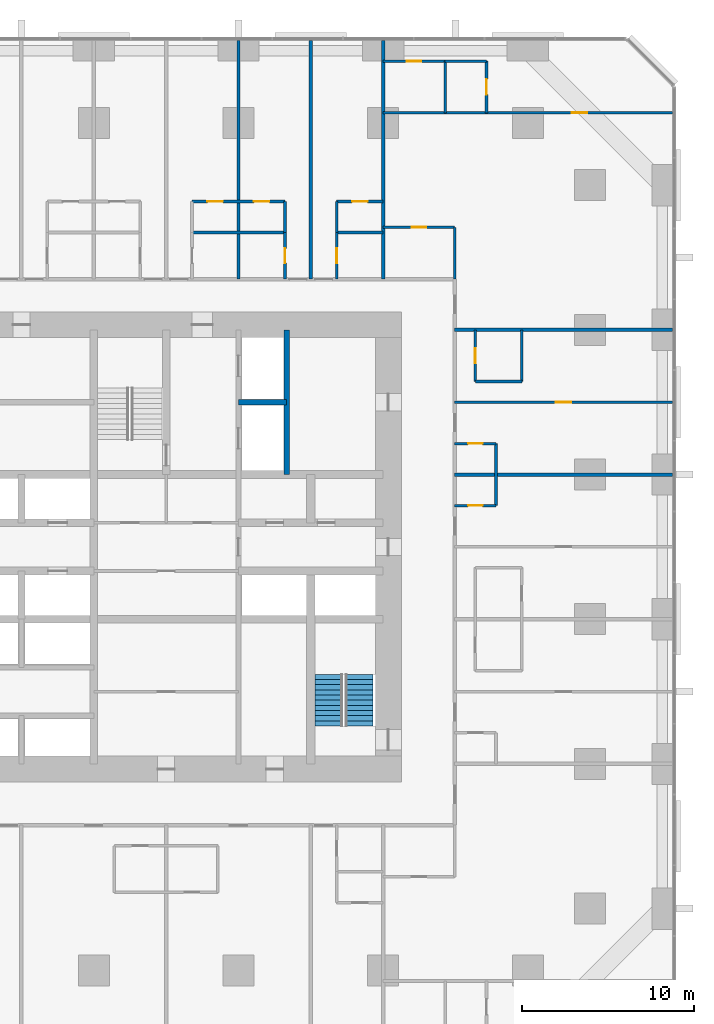
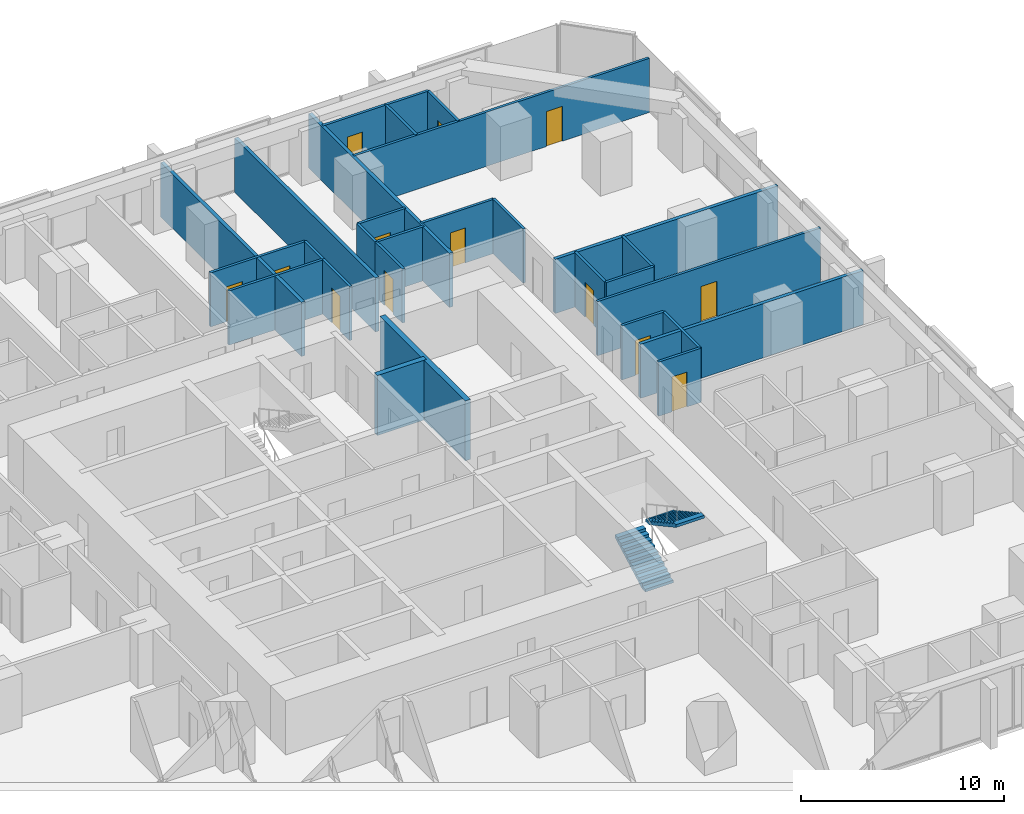
# One storey, part 15 of 17: 29 walls, 13 doors, 2 stair flights, 13 openings, 1 element without a shape of its own.
"""IFC4 building model written with IfcOpenShell, lengths in metres."""

from ifc_helpers import new_model, si_unit, direction, frame, frame_2d, origin, place, context, subcontext, project, spatial, polyline, rectangle, outline, extrude, material, layer, layer_set, type_object, element, fill, aggregate, save


model = new_model("IFC4")

# Units and contexts
model_context = context("Model", 3, precision=1e-05, world=origin(), true_north=direction((0.0, 1.0)))
body_context = subcontext(model_context, "Body", "Model", "MODEL_VIEW")
ifc_project = project(units=[si_unit("LENGTHUNIT", "METRE"), si_unit("AREAUNIT", "SQUARE_METRE"), si_unit("VOLUMEUNIT", "CUBIC_METRE"), si_unit("PLANEANGLEUNIT", "RADIAN"), si_unit("MASSUNIT", "GRAM", prefix="KILO")], contexts=[model_context])

# Site, building, storey
site_placement = place(None, origin())
site = spatial("IfcSite", under=ifc_project, at=site_placement, CompositionType="ELEMENT")
building_placement = place(site_placement, origin())
building = spatial("IfcBuilding", under=site, at=building_placement, Name="Dunama Terrace Hotel", CompositionType="ELEMENT")
storey_placement = place(building_placement, frame((0.0, 0.0, 66.60009765625)))
storey = spatial("IfcBuildingStorey", under=building, at=storey_placement, Name="L16", CompositionType="ELEMENT", Elevation=66.60009765625)

# Wall, opening, door
ifc_material_1 = material(Name="Gypsum board partition", Category="masonry")
ifc_layer_1 = layer(ifc_material_1, 0.14990234375)
ifc_layer_set_1 = layer_set([ifc_layer_1], Name="Bathroom partition 150")
wall_type_1 = type_object("IfcWallType", Name="Bathroom partition 150", PredefinedType="PARTITIONING", material=ifc_layer_set_1)
wall_1_placement = place(storey_placement, frame((36.300048828125, 44.949951171875, 0.0), z_axis=(0.0, 0.0, 1.0), x_axis=(0.0, 1.0, 0.0)))
wall_1 = element("IfcWall", 1, at=wall_1_placement, inside=storey, type_object=wall_type_1, Name="Bathroom partition 150 L16", PredefinedType="PARTITIONING", context=body_context, shape_type="SweptSolid", body=[
    extrude(rectangle(XDim=2.699951171875, YDim=0.14990234375, at=frame_2d((1.35009765625, 0.0))), origin(), (0.0, 0.0, 1.0), 3.25),
])
opening_1_placement = place(wall_1_placement, frame((0.925048828125, 0.0, 0.0)))
opening_1 = element("IfcOpeningElement", 2, at=opening_1_placement, cuts=wall_1, Name="Opening L15-16-044", PredefinedType="OPENING", context=body_context, shape_type="SweptSolid", body=[
    extrude(rectangle(XDim=0.85009765625, YDim=2.10009765625, at=frame_2d((0.425048828125, 1.050048828125))), frame((0.0, 0.0849609375, 0.0), z_axis=(0.0, -1.0, 0.0), x_axis=(1.0, 0.0, 0.0)), (0.0, 0.0, 1.0), 0.169921875),
])
ifc_material_2 = material(Name="Timber door with steel frame", Category="steel")
door_type_1 = type_object("IfcDoorType", Name="Bathroom door 850", OperationType="SINGLE_SWING_LEFT", PredefinedType="DOOR", material=ifc_material_2)
door_1_placement = place(opening_1_placement, origin())
door_1 = element("IfcDoor", 3, at=door_1_placement, inside=storey, type_object=door_type_1, Name="Door to en-suite bathroom L15-16-044, type D2", OperationType="SINGLE_SWING_LEFT", OverallHeight=2.10009765625, OverallWidth=0.85009765625, PredefinedType="DOOR", context=body_context, shape_type="SweptSolid", body=[
    extrude(rectangle(XDim=0.85009765625, YDim=2.10009765625, at=frame_2d((0.425048828125, 1.050048828125))), frame((0.0, 0.02490234375, 0.0), z_axis=(0.0, -1.0, 0.0), x_axis=(1.0, 0.0, 0.0)), (0.0, 0.0, 1.0), 0.050048828125),
])
fill(opening_1, door_1)

wall_2_placement = place(storey_placement, frame((39.300048828125, 44.949951171875, 0.0), z_axis=(0.0, 0.0, 1.0), x_axis=(0.0, 1.0, 0.0)))
wall_2 = element("IfcWall", 4, at=wall_2_placement, inside=storey, type_object=wall_type_1, Name="Bathroom partition 150 L16", PredefinedType="PARTITIONING", context=body_context, shape_type="SweptSolid", body=[
    extrude(rectangle(XDim=2.699951171875, YDim=0.14990234375, at=frame_2d((1.35009765625, 0.0))), origin(), (0.0, 0.0, 1.0), 3.25),
])
opening_2_placement = place(wall_2_placement, frame((0.925048828125, 0.0, 0.0)))
opening_2 = element("IfcOpeningElement", 5, at=opening_2_placement, cuts=wall_2, Name="Opening L15-16-047", PredefinedType="OPENING", context=body_context, shape_type="SweptSolid", body=[
    extrude(rectangle(XDim=0.85009765625, YDim=2.10009765625, at=frame_2d((0.425048828125, 1.050048828125))), frame((0.0, 0.0849609375, 0.0), z_axis=(0.0, -1.0, 0.0), x_axis=(1.0, 0.0, 0.0)), (0.0, 0.0, 1.0), 0.169921875),
])
door_2_placement = place(opening_2_placement, frame((0.85009765625, 0.0, 0.0), z_axis=(0.0, 0.0, 1.0), x_axis=(-1.0, 0.0, 0.0)))
door_2 = element("IfcDoor", 6, at=door_2_placement, inside=storey, type_object=door_type_1, Name="Door to en-suite bathroom L15-16-047, type D2", OperationType="SINGLE_SWING_RIGHT", OverallHeight=2.10009765625, OverallWidth=0.85009765625, PredefinedType="DOOR", context=body_context, shape_type="SweptSolid", body=[
    extrude(rectangle(XDim=0.85009765625, YDim=2.10009765625, at=frame_2d((0.425048828125, 1.050048828125))), frame((0.0, 0.025146484375, 0.0), z_axis=(0.0, -1.0, 0.0), x_axis=(1.0, 0.0, 0.0)), (0.0, 0.0, 1.0), 0.050048828125),
])
fill(opening_2, door_2)

# Wall
wall_3_placement = place(storey_placement, frame((46.14990234375, 44.949951171875, 0.0), z_axis=(0.0, 0.0, 1.0), x_axis=(0.0, 1.0, 0.0)))
element("IfcWall", 7, at=wall_3_placement, inside=storey, type_object=wall_type_1, Name="Bathroom partition 150 L16", PredefinedType="PARTITIONING", context=body_context, shape_type="SweptSolid", body=[
    extrude(rectangle(XDim=3.0, YDim=0.14990234375, at=frame_2d((1.5, 0.0))), origin(), (0.0, 0.0, 1.0), 3.25),
])

# Wall, opening, door
wall_4_placement = place(storey_placement, frame((47.35009765625, 39.0, 0.0), z_axis=(0.0, 0.0, 1.0), x_axis=(0.0, 1.0, 0.0)))
wall_4 = element("IfcWall", 8, at=wall_4_placement, inside=storey, type_object=wall_type_1, Name="Bathroom partition 150 L16", PredefinedType="PARTITIONING", context=body_context, shape_type="SweptSolid", body=[
    extrude(rectangle(XDim=3.0, YDim=0.14990234375, at=frame_2d((1.5, 0.0))), origin(), (0.0, 0.0, 1.0), 3.25),
])
opening_3_placement = place(wall_4_placement, frame((1.074951171875, 0.0, 0.0)))
opening_3 = element("IfcOpeningElement", 9, at=opening_3_placement, cuts=wall_4, Name="Opening L15-16-030", PredefinedType="OPENING", context=body_context, shape_type="SweptSolid", body=[
    extrude(rectangle(XDim=0.85009765625, YDim=2.10009765625, at=frame_2d((0.425048828125, 1.050048828125))), frame((0.0, 0.0849609375, 0.0), z_axis=(0.0, -1.0, 0.0), x_axis=(1.0, 0.0, 0.0)), (0.0, 0.0, 1.0), 0.169921875),
])
door_3_placement = place(opening_3_placement, frame((0.85009765625, 0.0, 0.0), z_axis=(0.0, 0.0, 1.0), x_axis=(-1.0, 0.0, 0.0)))
door_3 = element("IfcDoor", 10, at=door_3_placement, inside=storey, type_object=door_type_1, Name="Door to en-suite bathroom L15-16-030, type D2", OperationType="SINGLE_SWING_LEFT", OverallHeight=2.10009765625, OverallWidth=0.85009765625, PredefinedType="DOOR", context=body_context, shape_type="SweptSolid", body=[
    extrude(rectangle(XDim=0.85009765625, YDim=2.10009765625, at=frame_2d((0.425048828125, 1.050048828125))), frame((0.0, 0.025146484375, 0.0), z_axis=(0.0, -1.0, 0.0), x_axis=(1.0, 0.0, 0.0)), (0.0, 0.0, 1.0), 0.050048828125),
])
fill(opening_3, door_3)

# Walls
wall_5_placement = place(storey_placement, frame((48.550048828125, 31.800048828125, 0.0), z_axis=(0.0, 0.0, 1.0), x_axis=(0.0, 1.0, 0.0)))
element("IfcWall", 11, at=wall_5_placement, inside=storey, type_object=wall_type_1, Name="Bathroom partition 150 L16", PredefinedType="PARTITIONING", context=body_context, shape_type="SweptSolid", body=[
    extrude(rectangle(XDim=3.599853515625, YDim=0.14990234375, at=frame_2d((1.7998046875, 0.0))), origin(), (0.0, 0.0, 1.0), 3.25),
])
wall_6_placement = place(storey_placement, frame((50.050048828125, 39.0, 0.0), z_axis=(0.0, 0.0, 1.0), x_axis=(0.0, 1.0, 0.0)))
element("IfcWall", 12, at=wall_6_placement, inside=storey, type_object=wall_type_1, Name="Bathroom partition 150 L16", PredefinedType="PARTITIONING", context=body_context, shape_type="SweptSolid", body=[
    extrude(rectangle(XDim=3.0, YDim=0.14990234375, at=frame_2d((1.5, 0.0))), origin(), (0.0, 0.0, 1.0), 3.25),
])

# Wall, opening, door
wall_7_placement = place(storey_placement, frame((46.14990234375, 31.800048828125, 0.0), z_axis=(0.0, 0.0, 1.0), x_axis=(1.0, 0.0, 0.0)))
wall_7 = element("IfcWall", 13, at=wall_7_placement, inside=storey, type_object=wall_type_1, Name="Bathroom partition 150 L16", PredefinedType="PARTITIONING", context=body_context, shape_type="SweptSolid", body=[
    extrude(rectangle(XDim=2.400146484375, YDim=0.14990234375, at=frame_2d((1.2001953125, 0.0))), origin(), (0.0, 0.0, 1.0), 3.25),
])
opening_4_placement = place(wall_7_placement, frame((0.77490234375, 0.0, 0.0)))
opening_4 = element("IfcOpeningElement", 14, at=opening_4_placement, cuts=wall_7, Name="Opening L15-16-024", PredefinedType="OPENING", context=body_context, shape_type="SweptSolid", body=[
    extrude(rectangle(XDim=0.85009765625, YDim=2.10009765625, at=frame_2d((0.425048828125, 1.050048828125))), frame((0.0, 0.0849609375, 0.0), z_axis=(0.0, -1.0, 0.0), x_axis=(1.0, 0.0, 0.0)), (0.0, 0.0, 1.0), 0.169921875),
])
door_4_placement = place(opening_4_placement, origin())
door_4 = element("IfcDoor", 15, at=door_4_placement, inside=storey, type_object=door_type_1, Name="Door to powder room L15-16-024, type D2", OperationType="SINGLE_SWING_LEFT", OverallHeight=2.10009765625, OverallWidth=0.85009765625, PredefinedType="DOOR", context=body_context, shape_type="SweptSolid", body=[
    extrude(rectangle(XDim=0.85009765625, YDim=2.10009765625, at=frame_2d((0.425048828125, 1.050048828125))), frame((0.0, 0.02490234375, 0.0), z_axis=(0.0, -1.0, 0.0), x_axis=(1.0, 0.0, 0.0)), (0.0, 0.0, 1.0), 0.050048828125),
])
fill(opening_4, door_4)

wall_8_placement = place(storey_placement, frame((46.14990234375, 35.39990234375, 0.0), z_axis=(0.0, 0.0, 1.0), x_axis=(1.0, 0.0, 0.0)))
wall_8 = element("IfcWall", 16, at=wall_8_placement, inside=storey, type_object=wall_type_1, Name="Bathroom partition 150 L16", PredefinedType="PARTITIONING", context=body_context, shape_type="SweptSolid", body=[
    extrude(rectangle(XDim=2.400146484375, YDim=0.14990234375, at=frame_2d((1.2001953125, 0.0))), origin(), (0.0, 0.0, 1.0), 3.25),
])
opening_5_placement = place(wall_8_placement, frame((0.77490234375, 0.0, 0.0)))
opening_5 = element("IfcOpeningElement", 17, at=opening_5_placement, cuts=wall_8, Name="Opening L15-16-028", PredefinedType="OPENING", context=body_context, shape_type="SweptSolid", body=[
    extrude(rectangle(XDim=0.85009765625, YDim=2.10009765625, at=frame_2d((0.425048828125, 1.050048828125))), frame((0.0, 0.0849609375, 0.0), z_axis=(0.0, -1.0, 0.0), x_axis=(1.0, 0.0, 0.0)), (0.0, 0.0, 1.0), 0.169921875),
])
door_5_placement = place(opening_5_placement, frame((0.85009765625, 0.0, 0.0), z_axis=(0.0, 0.0, 1.0), x_axis=(-1.0, 0.0, 0.0)))
door_5 = element("IfcDoor", 18, at=door_5_placement, inside=storey, type_object=door_type_1, Name="Door to powder room L15-16-028, type D2", OperationType="SINGLE_SWING_RIGHT", OverallHeight=2.10009765625, OverallWidth=0.85009765625, PredefinedType="DOOR", context=body_context, shape_type="SweptSolid", body=[
    extrude(rectangle(XDim=0.85009765625, YDim=2.10009765625, at=frame_2d((0.425048828125, 1.050048828125))), frame((0.0, 0.025146484375, 0.0), z_axis=(0.0, -1.0, 0.0), x_axis=(1.0, 0.0, 0.0)), (0.0, 0.0, 1.0), 0.050048828125),
])
fill(opening_5, door_5)

# Wall
wall_9_placement = place(storey_placement, frame((47.35009765625, 39.0, 0.0), z_axis=(0.0, 0.0, 1.0), x_axis=(1.0, 0.0, 0.0)))
element("IfcWall", 19, at=wall_9_placement, inside=storey, type_object=wall_type_1, Name="Bathroom partition 150 L16", PredefinedType="PARTITIONING", context=body_context, shape_type="SweptSolid", body=[
    extrude(rectangle(XDim=2.699951171875, YDim=0.14990234375, at=frame_2d((1.35009765625, 0.0))), origin(), (0.0, 0.0, 1.0), 3.25),
])

# Wall, opening, door
wall_10_placement = place(storey_placement, frame((42.0, 47.949951171875, 0.0), z_axis=(0.0, 0.0, 1.0), x_axis=(1.0, 0.0, 0.0)))
wall_10 = element("IfcWall", 20, at=wall_10_placement, inside=storey, type_object=wall_type_1, Name="Bathroom partition 150 L16", PredefinedType="PARTITIONING", context=body_context, shape_type="SweptSolid", body=[
    extrude(rectangle(XDim=4.14990234375, YDim=0.14990234375, at=frame_2d((2.074951171875, 0.0))), origin(), (0.0, 0.0, 1.0), 3.25),
])
opening_6_placement = place(wall_10_placement, frame((1.64990234375, 0.0, 0.0)))
opening_6 = element("IfcOpeningElement", 21, at=opening_6_placement, cuts=wall_10, Name="Opening L15-16-066", PredefinedType="OPENING", context=body_context, shape_type="SweptSolid", body=[
    extrude(rectangle(XDim=0.85009765625, YDim=2.10009765625, at=frame_2d((0.425048828125, 1.050048828125))), frame((0.0, 0.0849609375, 0.0), z_axis=(0.0, -1.0, 0.0), x_axis=(1.0, 0.0, 0.0)), (0.0, 0.0, 1.0), 0.169921875),
])
door_6_placement = place(opening_6_placement, frame((0.85009765625, 0.0, 0.0), z_axis=(0.0, 0.0, 1.0), x_axis=(-1.0, 0.0, 0.0)))
door_6 = element("IfcDoor", 22, at=door_6_placement, inside=storey, type_object=door_type_1, Name="Door to powder room L15-16-066, type D2", OperationType="SINGLE_SWING_RIGHT", OverallHeight=2.10009765625, OverallWidth=0.85009765625, PredefinedType="DOOR", context=body_context, shape_type="SweptSolid", body=[
    extrude(rectangle(XDim=0.85009765625, YDim=2.10009765625, at=frame_2d((0.425048828125, 1.050048828125))), frame((0.0, 0.025146484375, 0.0), z_axis=(0.0, -1.0, 0.0), x_axis=(1.0, 0.0, 0.0)), (0.0, 0.0, 1.0), 0.050048828125),
])
fill(opening_6, door_6)

wall_11_placement = place(storey_placement, frame((42.0, 57.60009765625, 0.0), z_axis=(0.0, 0.0, 1.0), x_axis=(1.0, 0.0, 0.0)))
wall_11 = element("IfcWall", 23, at=wall_11_placement, inside=storey, type_object=wall_type_1, Name="Bathroom partition 150 L16", PredefinedType="PARTITIONING", context=body_context, shape_type="SweptSolid", body=[
    extrude(rectangle(XDim=3.60009765625, YDim=0.14990234375, at=frame_2d((1.800048828125, 0.0))), origin(), (0.0, 0.0, 1.0), 3.25),
])
opening_7_placement = place(wall_11_placement, frame((1.375, 0.0, 0.0)))
opening_7 = element("IfcOpeningElement", 24, at=opening_7_placement, cuts=wall_11, Name="Opening L15-16-068", PredefinedType="OPENING", context=body_context, shape_type="SweptSolid", body=[
    extrude(rectangle(XDim=0.85009765625, YDim=2.10009765625, at=frame_2d((0.425048828125, 1.050048828125))), frame((0.0, 0.0849609375, 0.0), z_axis=(0.0, -1.0, 0.0), x_axis=(1.0, 0.0, 0.0)), (0.0, 0.0, 1.0), 0.169921875),
])
door_7_placement = place(opening_7_placement, frame((0.85009765625, 0.0, 0.0), z_axis=(0.0, 0.0, 1.0), x_axis=(-1.0, 0.0, 0.0)))
door_7 = element("IfcDoor", 25, at=door_7_placement, inside=storey, type_object=door_type_1, Name="Door to en-suite bathroom L15-16-068, type D2", OperationType="SINGLE_SWING_RIGHT", OverallHeight=2.10009765625, OverallWidth=0.85009765625, PredefinedType="DOOR", context=body_context, shape_type="SweptSolid", body=[
    extrude(rectangle(XDim=0.85009765625, YDim=2.10009765625, at=frame_2d((0.425048828125, 1.050048828125))), frame((0.0, 0.025146484375, 0.0), z_axis=(0.0, -1.0, 0.0), x_axis=(1.0, 0.0, 0.0)), (0.0, 0.0, 1.0), 0.050048828125),
])
fill(opening_7, door_7)

# Walls
ifc_material_3 = material(Name="Concrete C50/60", Category="concrete")
ifc_layer_2 = layer(ifc_material_3, 0.300048828125)
ifc_layer_set_2 = layer_set([ifc_layer_2], Name="Core inner wall 300")
wall_type_2 = type_object("IfcWallType", Name="Core inner wall 300", PredefinedType="SHEAR", material=ifc_layer_set_2)
wall_12_placement = place(storey_placement, frame((36.39990234375, 33.60009765625, -0.35009765625), z_axis=(0.0, 0.0, 1.0), x_axis=(0.0, 1.0, 0.0)))
element("IfcWall", 26, at=wall_12_placement, inside=storey, type_object=wall_type_2, Name="Core inner wall 300 L16", PredefinedType="SHEAR", context=body_context, shape_type="SweptSolid", body=[
    extrude(rectangle(XDim=8.39990234375, YDim=0.300048828125, at=frame_2d((4.199951171875, 0.0))), origin(), (0.0, 0.0, 1.0), 3.60009765625),
])
wall_13_placement = place(storey_placement, frame((33.60009765625, 37.800048828125, -0.35009765625), z_axis=(0.0, 0.0, 1.0), x_axis=(1.0, 0.0, 0.0)))
element("IfcWall", 27, at=wall_13_placement, inside=storey, type_object=wall_type_2, Name="Core inner wall 300 L16", PredefinedType="SHEAR", context=body_context, shape_type="SweptSolid", body=[
    extrude(rectangle(XDim=2.7998046875, YDim=0.300048828125, at=frame_2d((1.39990234375, 0.0))), origin(), (0.0, 0.0, 1.0), 3.60009765625),
])
ifc_material_4 = material(Name="Concrete blockwork", Category="masonry")
ifc_layer_3 = layer(ifc_material_4, 0.199951171875)
ifc_layer_set_3 = layer_set([ifc_layer_3], Name="Party wall 200")
wall_type_3 = type_object("IfcWallType", Name="Party wall 200", PredefinedType="PARTITIONING", material=ifc_layer_set_3)
for number, where, z_axis, x_axis, name in (
    (28, (33.60009765625, 44.949951171875, 0.0), (0.0, 0.0, 1.0), (0.0, 1.0, 0.0), "Party wall 200 L16"),
    (29, (37.800048828125, 44.949951171875, 0.0), (0.0, 0.0, 1.0), (0.0, 1.0, 0.0), "Party wall 200 L16"),
    (30, (42.0, 44.949951171875, 0.0), (0.0, 0.0, 1.0), (0.0, 1.0, 0.0), "Party wall 200 L16"),
):
    element("IfcWall", number, at=place(storey_placement, frame(where, z_axis=z_axis, x_axis=x_axis)), inside=storey, type_object=wall_type_3, Name=name, PredefinedType="PARTITIONING", context=body_context, shape_type="SweptSolid", body=[
        extrude(rectangle(XDim=13.858154296875, YDim=0.199951171875, at=frame_2d((6.92919921875, 0.0))), origin(), (0.0, 0.0, 1.0), 3.25),
    ])
for number, where, z_axis, x_axis, name in (
    (31, (46.14990234375, 33.60009765625, 0.0), (0.0, 0.0, 1.0), (1.0, 0.0, 0.0), "Party wall 200 L16"),
    (32, (46.14990234375, 42.0, 0.0), (0.0, 0.0, 1.0), (1.0, 0.0, 0.0), "Party wall 200 L16"),
):
    element("IfcWall", number, at=place(storey_placement, frame(where, z_axis=z_axis, x_axis=x_axis)), inside=storey, type_object=wall_type_3, Name=name, PredefinedType="PARTITIONING", context=body_context, shape_type="SweptSolid", body=[
        extrude(rectangle(XDim=12.658203125, YDim=0.199951171875, at=frame_2d((6.3291015625, 0.0))), origin(), (0.0, 0.0, 1.0), 3.25),
    ])
ifc_material_5 = material(Name="Gypsum board partition", Category="masonry")
ifc_layer_4 = layer(ifc_material_5, 0.14990234375)
ifc_layer_set_4 = layer_set([ifc_layer_4], Name="Room partition 150")
wall_type_4 = type_object("IfcWallType", Name="Room partition 150", PredefinedType="PARTITIONING", material=ifc_layer_set_4)
for number, where, z_axis, x_axis, name in (
    (33, (36.300048828125, 47.64990234375, 0.0), (0.0, 0.0, 1.0), (0.0, 1.0, 0.0), "Room partition 150 L16"),
    (34, (39.300048828125, 47.64990234375, 0.0), (0.0, 0.0, 1.0), (0.0, 1.0, 0.0), "Room partition 150 L16"),
):
    element("IfcWall", number, at=place(storey_placement, frame(where, z_axis=z_axis, x_axis=x_axis)), inside=storey, type_object=wall_type_4, Name=name, PredefinedType="PARTITIONING", context=body_context, shape_type="SweptSolid", body=[
        extrude(rectangle(XDim=1.800048828125, YDim=0.14990234375, at=frame_2d((0.89990234375, 0.0))), origin(), (0.0, 0.0, 1.0), 3.25),
    ])
wall_14_placement = place(storey_placement, frame((45.60009765625, 54.60009765625, 0.0), z_axis=(0.0, 0.0, 1.0), x_axis=(0.0, 1.0, 0.0)))
element("IfcWall", 35, at=wall_14_placement, inside=storey, type_object=wall_type_4, Name="Room partition 150 L16", PredefinedType="PARTITIONING", context=body_context, shape_type="SweptSolid", body=[
    extrude(rectangle(XDim=3.0, YDim=0.14990234375, at=frame_2d((1.5, 0.0))), origin(), (0.0, 0.0, 1.0), 3.25),
])

# Wall, opening, door
wall_15_placement = place(storey_placement, frame((48.0, 54.60009765625, 0.0), z_axis=(0.0, 0.0, 1.0), x_axis=(0.0, 1.0, 0.0)))
wall_15 = element("IfcWall", 36, at=wall_15_placement, inside=storey, type_object=wall_type_4, Name="Room partition 150 L16", PredefinedType="PARTITIONING", context=body_context, shape_type="SweptSolid", body=[
    extrude(rectangle(XDim=3.0, YDim=0.14990234375, at=frame_2d((1.5, 0.0))), origin(), (0.0, 0.0, 1.0), 3.25),
])
opening_8_placement = place(wall_15_placement, frame((1.050048828125, 0.0, 0.0)))
opening_8 = element("IfcOpeningElement", 37, at=opening_8_placement, cuts=wall_15, Name="Opening L15-16-069", PredefinedType="OPENING", context=body_context, shape_type="SweptSolid", body=[
    extrude(rectangle(XDim=0.89990234375, YDim=2.10009765625, at=frame_2d((0.449951171875, 1.050048828125))), frame((0.0, 0.0849609375, 0.0), z_axis=(0.0, -1.0, 0.0), x_axis=(1.0, 0.0, 0.0)), (0.0, 0.0, 1.0), 0.169921875),
])
ifc_material_6 = material(Name="Timber door with steel frame", Category="steel")
door_type_2 = type_object("IfcDoorType", Name="Suite internal door 900", OperationType="SINGLE_SWING_LEFT", PredefinedType="DOOR", material=ifc_material_6)
door_8_placement = place(opening_8_placement, origin())
door_8 = element("IfcDoor", 38, at=door_8_placement, inside=storey, type_object=door_type_2, Name="Door to dressing room L15-16-069, type D16", OperationType="SINGLE_SWING_LEFT", OverallHeight=2.10009765625, OverallWidth=0.89990234375, PredefinedType="DOOR", context=body_context, shape_type="SweptSolid", body=[
    extrude(rectangle(XDim=0.89990234375, YDim=2.10009765625, at=frame_2d((0.449951171875, 1.050048828125))), frame((0.0, 0.02490234375, 0.0), z_axis=(0.0, -1.0, 0.0), x_axis=(1.0, 0.0, 0.0)), (0.0, 0.0, 1.0), 0.050048828125),
])
fill(opening_8, door_8)

wall_16_placement = place(storey_placement, frame((46.14990234375, 37.800048828125, 0.0), z_axis=(0.0, 0.0, 1.0), x_axis=(1.0, 0.0, 0.0)))
wall_16 = element("IfcWall", 39, at=wall_16_placement, inside=storey, type_object=wall_type_4, Name="Room partition 150 L16", PredefinedType="PARTITIONING", context=body_context, shape_type="SweptSolid", body=[
    extrude(rectangle(XDim=12.658203125, YDim=0.14990234375, at=frame_2d((6.3291015625, 0.0))), origin(), (0.0, 0.0, 1.0), 3.25),
])
opening_9_placement = place(wall_16_placement, frame((5.875, 0.0, 0.0)))
opening_9 = element("IfcOpeningElement", 40, at=opening_9_placement, cuts=wall_16, Name="Opening L15-16-029", PredefinedType="OPENING", context=body_context, shape_type="SweptSolid", body=[
    extrude(rectangle(XDim=0.89990234375, YDim=2.10009765625, at=frame_2d((0.449951171875, 1.050048828125))), frame((0.0, 0.0849609375, 0.0), z_axis=(0.0, -1.0, 0.0), x_axis=(1.0, 0.0, 0.0)), (0.0, 0.0, 1.0), 0.169921875),
])
door_9_placement = place(opening_9_placement, origin())
door_9 = element("IfcDoor", 41, at=door_9_placement, inside=storey, type_object=door_type_2, Name="Door to executive suite bedroom L15-16-029, type D16", OperationType="SINGLE_SWING_LEFT", OverallHeight=2.10009765625, OverallWidth=0.89990234375, PredefinedType="DOOR", context=body_context, shape_type="SweptSolid", body=[
    extrude(rectangle(XDim=0.89990234375, YDim=2.10009765625, at=frame_2d((0.449951171875, 1.050048828125))), frame((0.0, 0.02490234375, 0.0), z_axis=(0.0, -1.0, 0.0), x_axis=(1.0, 0.0, 0.0)), (0.0, 0.0, 1.0), 0.050048828125),
])
fill(opening_9, door_9)

# Walls
wall_17_placement = place(storey_placement, frame((30.89990234375, 47.64990234375, 0.0), z_axis=(0.0, 0.0, 1.0), x_axis=(1.0, 0.0, 0.0)))
element("IfcWall", 42, at=wall_17_placement, inside=storey, type_object=wall_type_4, Name="Room partition 150 L16", PredefinedType="PARTITIONING", context=body_context, shape_type="SweptSolid", body=[
    extrude(rectangle(XDim=5.400146484375, YDim=0.14990234375, at=frame_2d((2.7001953125, 0.0))), origin(), (0.0, 0.0, 1.0), 3.25),
])
wall_18_placement = place(storey_placement, frame((39.300048828125, 47.64990234375, 0.0), z_axis=(0.0, 0.0, 1.0), x_axis=(1.0, 0.0, 0.0)))
element("IfcWall", 43, at=wall_18_placement, inside=storey, type_object=wall_type_4, Name="Room partition 150 L16", PredefinedType="PARTITIONING", context=body_context, shape_type="SweptSolid", body=[
    extrude(rectangle(XDim=2.699951171875, YDim=0.14990234375, at=frame_2d((1.35009765625, 0.0))), origin(), (0.0, 0.0, 1.0), 3.25),
])

# Wall, openings, doors
wall_19_placement = place(storey_placement, frame((30.89990234375, 49.449951171875, 0.0), z_axis=(0.0, 0.0, 1.0), x_axis=(1.0, 0.0, 0.0)))
wall_19 = element("IfcWall", 44, at=wall_19_placement, inside=storey, type_object=wall_type_4, Name="Room partition 150 L16", PredefinedType="PARTITIONING", context=body_context, shape_type="SweptSolid", body=[
    extrude(rectangle(XDim=5.400146484375, YDim=0.14990234375, at=frame_2d((2.7001953125, 0.0))), origin(), (0.0, 0.0, 1.0), 3.25),
])
opening_10_placement = place(wall_19_placement, frame((0.89990234375, 0.0, 0.0)))
opening_10 = element("IfcOpeningElement", 45, at=opening_10_placement, cuts=wall_19, Name="Opening L15-16-042", PredefinedType="OPENING", context=body_context, shape_type="SweptSolid", body=[
    extrude(rectangle(XDim=0.89990234375, YDim=2.10009765625, at=frame_2d((0.449951171875, 1.050048828125))), frame((0.0, 0.0849609375, 0.0), z_axis=(0.0, -1.0, 0.0), x_axis=(1.0, 0.0, 0.0)), (0.0, 0.0, 1.0), 0.169921875),
])
opening_11_placement = place(wall_19_placement, frame((3.60009765625, 0.0, 0.0)))
opening_11 = element("IfcOpeningElement", 46, at=opening_11_placement, cuts=wall_19, Name="Opening L15-16-045", PredefinedType="OPENING", context=body_context, shape_type="SweptSolid", body=[
    extrude(rectangle(XDim=0.89990234375, YDim=2.10009765625, at=frame_2d((0.449951171875, 1.050048828125))), frame((0.0, 0.0849609375, 0.0), z_axis=(0.0, -1.0, 0.0), x_axis=(1.0, 0.0, 0.0)), (0.0, 0.0, 1.0), 0.169921875),
])
door_10_placement = place(opening_10_placement, frame((0.89990234375, 0.0, 0.0), z_axis=(0.0, 0.0, 1.0), x_axis=(-1.0, 0.0, 0.0)))
door_10 = element("IfcDoor", 47, at=door_10_placement, inside=storey, type_object=door_type_2, Name="Door to walk-in wardrobe L15-16-042, type D16", OperationType="SINGLE_SWING_LEFT", OverallHeight=2.10009765625, OverallWidth=0.89990234375, PredefinedType="DOOR", context=body_context, shape_type="SweptSolid", body=[
    extrude(rectangle(XDim=0.89990234375, YDim=2.10009765625, at=frame_2d((0.449951171875, 1.050048828125))), frame((0.0, 0.025146484375, 0.0), z_axis=(0.0, -1.0, 0.0), x_axis=(1.0, 0.0, 0.0)), (0.0, 0.0, 1.0), 0.050048828125),
])
fill(opening_10, door_10)
door_11_placement = place(opening_11_placement, frame((0.89990234375, 0.0, 0.0), z_axis=(0.0, 0.0, 1.0), x_axis=(-1.0, 0.0, 0.0)))
door_11 = element("IfcDoor", 48, at=door_11_placement, inside=storey, type_object=door_type_2, Name="Door to walk-in wardrobe L15-16-045, type D16", OperationType="SINGLE_SWING_RIGHT", OverallHeight=2.10009765625, OverallWidth=0.89990234375, PredefinedType="DOOR", context=body_context, shape_type="SweptSolid", body=[
    extrude(rectangle(XDim=0.89990234375, YDim=2.10009765625, at=frame_2d((0.449951171875, 1.050048828125))), frame((0.0, 0.025146484375, 0.0), z_axis=(0.0, -1.0, 0.0), x_axis=(1.0, 0.0, 0.0)), (0.0, 0.0, 1.0), 0.050048828125),
])
fill(opening_11, door_11)

# Wall, opening, door
wall_20_placement = place(storey_placement, frame((39.300048828125, 49.449951171875, 0.0), z_axis=(0.0, 0.0, 1.0), x_axis=(1.0, 0.0, 0.0)))
wall_20 = element("IfcWall", 49, at=wall_20_placement, inside=storey, type_object=wall_type_4, Name="Room partition 150 L16", PredefinedType="PARTITIONING", context=body_context, shape_type="SweptSolid", body=[
    extrude(rectangle(XDim=2.699951171875, YDim=0.14990234375, at=frame_2d((1.35009765625, 0.0))), origin(), (0.0, 0.0, 1.0), 3.25),
])
opening_12_placement = place(wall_20_placement, frame((0.89990234375, 0.0, 0.0)))
opening_12 = element("IfcOpeningElement", 50, at=opening_12_placement, cuts=wall_20, Name="Opening L15-16-048", PredefinedType="OPENING", context=body_context, shape_type="SweptSolid", body=[
    extrude(rectangle(XDim=0.89990234375, YDim=2.10009765625, at=frame_2d((0.449951171875, 1.050048828125))), frame((0.0, 0.0849609375, 0.0), z_axis=(0.0, -1.0, 0.0), x_axis=(1.0, 0.0, 0.0)), (0.0, 0.0, 1.0), 0.169921875),
])
door_12_placement = place(opening_12_placement, frame((0.89990234375, 0.0, 0.0), z_axis=(0.0, 0.0, 1.0), x_axis=(-1.0, 0.0, 0.0)))
door_12 = element("IfcDoor", 51, at=door_12_placement, inside=storey, type_object=door_type_2, Name="Door to walk-in wardrobe L15-16-048, type D16", OperationType="SINGLE_SWING_LEFT", OverallHeight=2.10009765625, OverallWidth=0.89990234375, PredefinedType="DOOR", context=body_context, shape_type="SweptSolid", body=[
    extrude(rectangle(XDim=0.89990234375, YDim=2.10009765625, at=frame_2d((0.449951171875, 1.050048828125))), frame((0.0, 0.025146484375, 0.0), z_axis=(0.0, -1.0, 0.0), x_axis=(1.0, 0.0, 0.0)), (0.0, 0.0, 1.0), 0.050048828125),
])
fill(opening_12, door_12)

wall_21_placement = place(storey_placement, frame((42.0, 54.60009765625, 0.0), z_axis=(0.0, 0.0, 1.0), x_axis=(1.0, 0.0, 0.0)))
wall_21 = element("IfcWall", 52, at=wall_21_placement, inside=storey, type_object=wall_type_4, Name="Room partition 150 L16", PredefinedType="PARTITIONING", context=body_context, shape_type="SweptSolid", body=[
    extrude(rectangle(XDim=16.80810546875, YDim=0.14990234375, at=frame_2d((8.404052734375, 0.0))), origin(), (0.0, 0.0, 1.0), 3.25),
])
opening_13_placement = place(wall_21_placement, frame((10.949951171875, 0.0, 0.0)))
opening_13 = element("IfcOpeningElement", 53, at=opening_13_placement, cuts=wall_21, Name="Opening L15-16-067", PredefinedType="OPENING", context=body_context, shape_type="SweptSolid", body=[
    extrude(rectangle(XDim=0.89990234375, YDim=2.10009765625, at=frame_2d((0.449951171875, 1.050048828125))), frame((0.0, 0.0849609375, 0.0), z_axis=(0.0, -1.0, 0.0), x_axis=(1.0, 0.0, 0.0)), (0.0, 0.0, 1.0), 0.169921875),
])
door_13_placement = place(opening_13_placement, origin())
door_13 = element("IfcDoor", 54, at=door_13_placement, inside=storey, type_object=door_type_2, Name="Door to corner suite bedroom L15-16-067, type D16", OperationType="SINGLE_SWING_LEFT", OverallHeight=2.10009765625, OverallWidth=0.89990234375, PredefinedType="DOOR", context=body_context, shape_type="SweptSolid", body=[
    extrude(rectangle(XDim=0.89990234375, YDim=2.10009765625, at=frame_2d((0.449951171875, 1.050048828125))), frame((0.0, 0.02490234375, 0.0), z_axis=(0.0, -1.0, 0.0), x_axis=(1.0, 0.0, 0.0)), (0.0, 0.0, 1.0), 0.050048828125),
])
fill(opening_13, door_13)

# Wall
wall_22_placement = place(storey_placement, frame((45.60009765625, 57.60009765625, 0.0), z_axis=(0.0, 0.0, 1.0), x_axis=(1.0, 0.0, 0.0)))
element("IfcWall", 55, at=wall_22_placement, inside=storey, type_object=wall_type_4, Name="Room partition 150 L16", PredefinedType="PARTITIONING", context=body_context, shape_type="SweptSolid", body=[
    extrude(rectangle(XDim=2.39990234375, YDim=0.14990234375, at=frame_2d((1.199951171875, 0.0))), origin(), (0.0, 0.0, 1.0), 3.25),
])

# Stair, stair flights
ifc_material_7 = material(Name="Concrete C40/50", Category="concrete")
stair_type = type_object("IfcStairType", Name="Stair ST2-3600-1600", PredefinedType="HALF_TURN_STAIR", material=ifc_material_7)
stair_placement = place(storey_placement, origin())
stair = element("IfcStair", 56, at=stair_placement, inside=storey, type_object=stair_type, Name="Stair ST2 L16", PredefinedType="HALF_TURN_STAIR")
ifc_material_8 = material(Name="Concrete C40/50", Category="concrete")
stair_flight_type = type_object("IfcStairFlightType", Name="Stair flight ST2-3600-1600", PredefinedType="STRAIGHT", material=ifc_material_8)
stair_flight_1_placement = place(storey_placement, frame((38.85009765625, 19.0, 0.0), z_axis=(0.0, 0.0, 1.0), x_axis=(0.0, 1.0, 0.0)))
stair_flight_1 = element("IfcStairFlight", 57, at=stair_flight_1_placement, type_object=stair_flight_type, Name="ST2 flight 1", NumberOfRisers=11, NumberOfTreads=10, PredefinedType="STRAIGHT", RiserHeight=0.163636364, TreadLength=0.3, context=body_context, shape_type="SweptSolid", body=[
    extrude(outline(polyline([(0.0, 0.0), (0.0, 0.16357421875), (0.300048828125, 0.16357421875), (0.300048828125, 0.327392578125), (0.60009765625, 0.327392578125), (0.60009765625, 0.490966796875), (0.89990234375, 0.490966796875), (0.89990234375, 0.654541015625), (1.199951171875, 0.654541015625), (1.199951171875, 0.818115234375), (1.5, 0.818115234375), (1.5, 0.98193359375), (1.800048828125, 0.98193359375), (1.800048828125, 1.1455078125), (2.10009765625, 1.1455078125), (2.10009765625, 1.30908203125), (2.39990234375, 1.30908203125), (2.39990234375, 1.47265625), (2.699951171875, 1.47265625), (2.699951171875, 1.636474609375), (3.0, 1.636474609375), (3.0, 1.800048828125), (3.0, 1.465576171875), (0.31298828125, 0.0), (0.0, 0.0)])), frame((0.0, 0.800048828125, 0.0), z_axis=(0.0, -1.0, 0.0), x_axis=(1.0, 0.0, 0.0)), (0.0, 0.0, 1.0), 1.60009765625),
])
stair_flight_2_placement = place(storey_placement, frame((40.60009765625, 22.0, 1.7998046875), z_axis=(0.0, 0.0, 1.0), x_axis=(0.0, -1.0, 0.0)))
stair_flight_2 = element("IfcStairFlight", 58, at=stair_flight_2_placement, type_object=stair_flight_type, Name="ST2 flight 2", NumberOfRisers=11, NumberOfTreads=10, PredefinedType="STRAIGHT", RiserHeight=0.163636364, TreadLength=0.3, context=body_context, shape_type="SweptSolid", body=[
    extrude(outline(polyline([(0.0, 0.0), (0.0, 0.16357421875), (0.300048828125, 0.16357421875), (0.300048828125, 0.327392578125), (0.60009765625, 0.327392578125), (0.60009765625, 0.490966796875), (0.89990234375, 0.490966796875), (0.89990234375, 0.654541015625), (1.199951171875, 0.654541015625), (1.199951171875, 0.818115234375), (1.5, 0.818115234375), (1.5, 0.98193359375), (1.800048828125, 0.98193359375), (1.800048828125, 1.1455078125), (2.10009765625, 1.1455078125), (2.10009765625, 1.30908203125), (2.39990234375, 1.30908203125), (2.39990234375, 1.47265625), (2.699951171875, 1.47265625), (2.699951171875, 1.636474609375), (3.0, 1.636474609375), (3.0, 1.800048828125), (3.0, 1.465576171875), (0.31298828125, 0.0), (0.0, 0.0)])), frame((0.0, 0.800048828125, 0.0), z_axis=(0.0, -1.0, 0.0), x_axis=(1.0, 0.0, 0.0)), (0.0, 0.0, 1.0), 1.60009765625),
])
aggregate(stair, [stair_flight_1, stair_flight_2])

save(model, "model.ifc")
